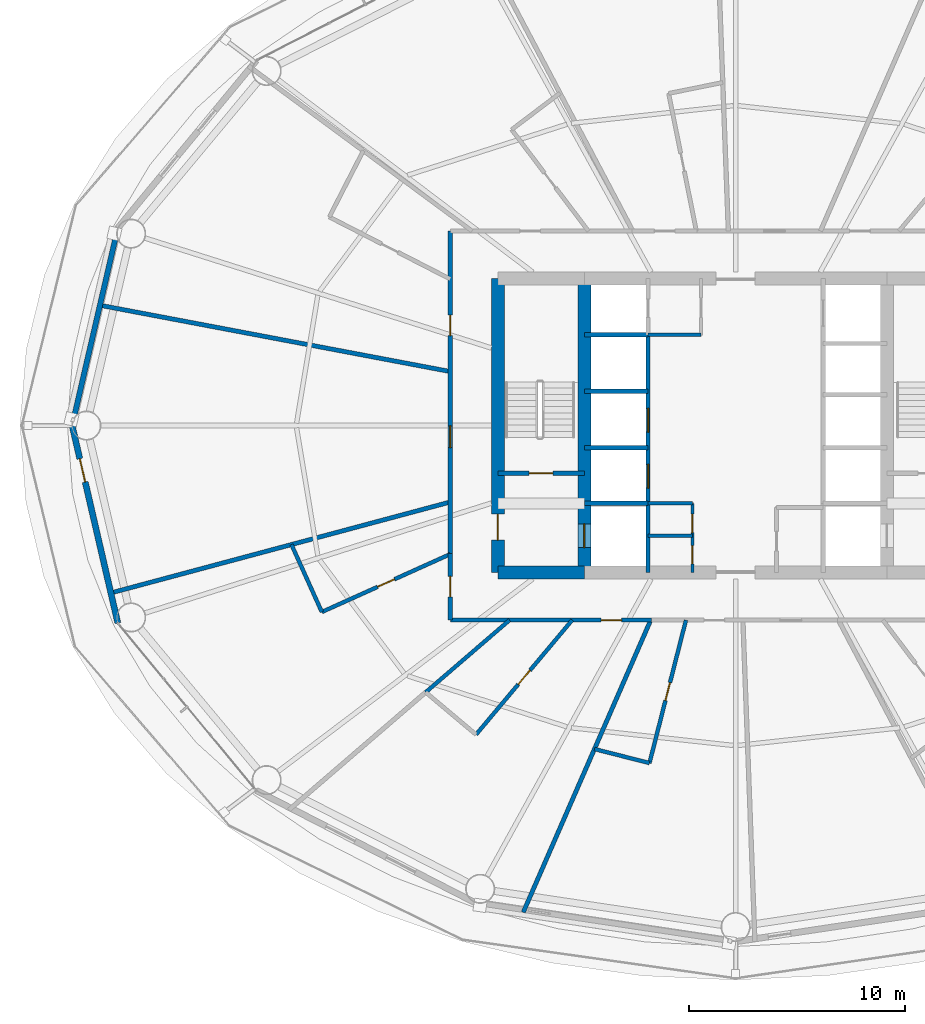
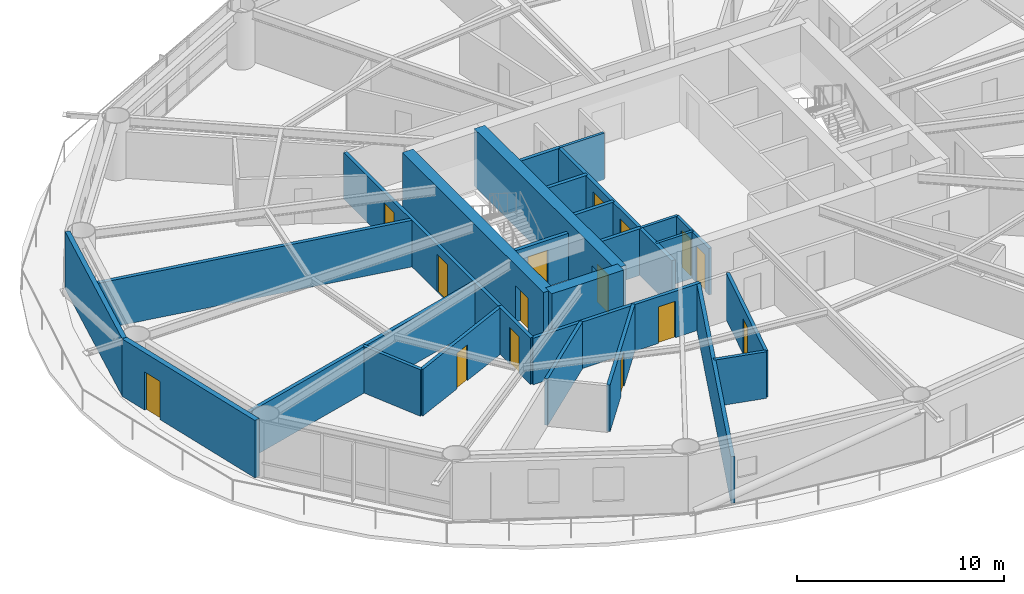
# One storey, part 20 of 26: 28 walls, 15 doors, 15 openings.
"""IFC4 building model written with IfcOpenShell, lengths in metres."""

import ifcopenshell
import ifcopenshell.guid

model = None  # the IFC model being written
_history = None  # IfcOwnerHistory: only IFC2X3 demands one
_inside = {}  # id of a spatial element -> (the spatial element, [elements in it])
_under = {}  # id of a project, library or spatial element -> (it, [spatial elements below it])
_declared = {}  # id of a project -> (the project, [libraries it declares])
_typed = {}  # id of a type object -> (the type object, [elements of that type])
_made_of = {}  # id of a material, layer set ... -> (it, [elements and type objects made of it])


def new_model(schema):
    """Start an empty IFC model of exactly this schema.

    Asked for "IFC4X3", IfcOpenShell would pick the latest addendum, in which some entities
    have other attributes; the version numbers below select the first issue.
    IFC2X3 requires an IfcOwnerHistory on every rooted entity: one is made here for all.
    """
    global model, _history
    if schema == "IFC4X3":
        model = ifcopenshell.file(schema_version=(4, 3, 0, 0))
    else:
        model = ifcopenshell.file(schema=schema)
    _inside.clear()
    _under.clear()
    _declared.clear()
    _typed.clear()
    _made_of.clear()
    _history = None
    if model.schema == "IFC2X3":
        org = make("IfcOrganization", Name="unknown")
        user = make(
            "IfcPersonAndOrganization",
            ThePerson=make("IfcPerson", FamilyName="unknown"),
            TheOrganization=org,
        )
        app = make(
            "IfcApplication",
            ApplicationDeveloper=org,
            Version="unknown",
            ApplicationFullName="unknown",
            ApplicationIdentifier="unknown",
        )
        _history = make(
            "IfcOwnerHistory",
            OwningUser=user,
            OwningApplication=app,
            ChangeAction="ADDED",
            CreationDate=0,
        )
    return model


def make(cls, **values):
    """One entity of the class cls with the attributes given. An attribute that is None is left unset."""
    return model.create_entity(
        cls, **{name: value for name, value in values.items() if value is not None}
    )


def rooted(cls, **values):
    """An entity with a GlobalId (a new one), such as an element, a storey or a relation."""
    return make(cls, GlobalId=ifcopenshell.guid.new(), OwnerHistory=_history, **values)


def si_unit(unit_type, name, prefix=None):
    """IfcSIUnit, for example si_unit("LENGTHUNIT", "METRE", prefix="MILLI")."""
    return make("IfcSIUnit", UnitType=unit_type, Prefix=prefix, Name=name)


def assignment(units):
    """IfcUnitAssignment: the units of a project."""
    return None if units is None else make("IfcUnitAssignment", Units=units)


def point(xyz):
    """IfcCartesianPoint."""
    return None if xyz is None else make("IfcCartesianPoint", Coordinates=xyz)


def direction(xyz):
    """IfcDirection."""
    return None if xyz is None else make("IfcDirection", DirectionRatios=xyz)


def frame(location, z_axis=None, x_axis=None):
    """IfcAxis2Placement3D, a coordinate frame: its origin and axes. An axis left out is left unset."""
    return make(
        "IfcAxis2Placement3D",
        Location=point(location),
        Axis=direction(z_axis),
        RefDirection=direction(x_axis),
    )


def frame_2d(location, x_axis=None):
    """IfcAxis2Placement2D, a coordinate frame in the plane: its origin and x axis."""
    return make(
        "IfcAxis2Placement2D", Location=point(location), RefDirection=direction(x_axis)
    )


def origin():
    """The frame at (0, 0, 0) with its axes left unset."""
    return frame((0.0, 0.0, 0.0))


def place(relative_to, where):
    """IfcLocalPlacement: puts the frame where relative to a parent placement (None: the world)."""
    return make(
        "IfcLocalPlacement", PlacementRelTo=relative_to, RelativePlacement=where
    )


def context(
    kind, dimensions, precision=None, world=None, true_north=None, identifier=None
):
    """IfcGeometricRepresentationContext, for example the 3D "Model" context."""
    return make(
        "IfcGeometricRepresentationContext",
        ContextIdentifier=identifier,
        ContextType=kind,
        CoordinateSpaceDimension=dimensions,
        Precision=precision,
        WorldCoordinateSystem=world,
        TrueNorth=true_north,
    )


def subcontext(parent, identifier, kind, view, scale=None):
    """IfcGeometricRepresentationSubContext, for example "Body" below "Model"."""
    return make(
        "IfcGeometricRepresentationSubContext",
        ContextIdentifier=identifier,
        ContextType=kind,
        ParentContext=parent,
        TargetScale=scale,
        TargetView=view,
    )


def project(units=None, contexts=None):
    """IfcProject with its units and contexts."""
    return rooted(
        "IfcProject",
        Name="project",
        RepresentationContexts=contexts,
        UnitsInContext=assignment(units),
    )


def spatial(cls, under=None, at=None, **own):
    """A site, building, storey or space (cls), placed at a placement, below another one or the project."""
    s = rooted(cls, ObjectPlacement=at, **own)
    if under is not None:
        _under.setdefault(under.id(), (under, []))[1].append(s)
    return s


def profile(cls, at=None, kind="AREA", **sizes):
    """A parametric profile (cls). Its sizes go by their IFC names, for example OverallWidth=200.0."""
    return make(cls, ProfileType=kind, Position=at, **sizes)


def rectangle(**sizes):
    """IfcRectangleProfileDef."""
    return profile("IfcRectangleProfileDef", **sizes)


def extrude(swept, where, along, depth):
    """IfcExtrudedAreaSolid: the profile swept, set in the frame where, extruded along a direction by depth."""
    return make(
        "IfcExtrudedAreaSolid",
        SweptArea=swept,
        Position=where,
        ExtrudedDirection=direction(along),
        Depth=depth,
    )


def shape(context_of_items, identifier, shape_type, items):
    """IfcShapeRepresentation: the items that make up one representation, for example the "Body"."""
    return make(
        "IfcShapeRepresentation",
        ContextOfItems=context_of_items,
        RepresentationIdentifier=identifier,
        RepresentationType=shape_type,
        Items=items,
    )


def material(Name=None, Category=None):
    """IfcMaterial."""
    return make("IfcMaterial", Name=Name, Category=Category)


def layer(
    of_material, thickness, ventilated=None, Name=None, Category=None, Priority=None
):
    """IfcMaterialLayer: one layer of a wall or slab, of a material (None: an air gap)."""
    return make(
        "IfcMaterialLayer",
        Material=of_material,
        LayerThickness=thickness,
        IsVentilated=ventilated,
        Name=Name,
        Category=Category,
        Priority=Priority,
    )


def layer_set(layers, Name=None):
    """IfcMaterialLayerSet."""
    return make("IfcMaterialLayerSet", MaterialLayers=layers, LayerSetName=Name)


def made_of(thing, what):
    """Note that an element or type object is made of a material, layer set ...; save() writes the relation."""
    if what is not None:
        _made_of.setdefault(what.id(), (what, []))[1].append(thing)
    return thing


def type_object(cls, material=None, **own):
    """A type object (cls), such as IfcWallType, which elements share."""
    return made_of(rooted(cls, **own), material)


def element(
    cls,
    number,
    at=None,
    inside=None,
    cuts=None,
    type_object=None,
    material=None,
    context=None,
    identifier="Body",
    shape_type=None,
    held_by="IfcProductDefinitionShape",
    body=None,
    shapes=None,
    **own,
):
    """One element of the class cls, such as IfcWall. Its Tag is "e" and its number.

    at: its placement. inside: the storey or other place that contains it. cuts: it is an
    opening in that element (IfcRelVoidsElement). A single representation is given by context,
    identifier, shape_type and body (its items); several are given by shapes. held_by: the class
    of the entity that holds the representations. save() writes the other relations.
    """
    e = rooted(cls, Tag="e%d" % number, ObjectPlacement=at, **own)
    if body is not None:
        shapes = [shape(context, identifier, shape_type, body)]
    if shapes is not None:
        e.Representation = make(held_by, Representations=shapes)
    if inside is not None:
        _inside.setdefault(inside.id(), (inside, []))[1].append(e)
    if cuts is not None:
        rooted(
            "IfcRelVoidsElement", RelatingBuildingElement=cuts, RelatedOpeningElement=e
        )
    if type_object is not None:
        _typed.setdefault(type_object.id(), (type_object, []))[1].append(e)
    return made_of(e, material)


def fill(opening, filler):
    """IfcRelFillsElement: the door or window that sits in an opening."""
    return rooted(
        "IfcRelFillsElement",
        RelatingOpeningElement=opening,
        RelatedBuildingElement=filler,
    )


def aggregate(whole, parts):
    """IfcRelAggregates: a whole, such as a stair, and the parts it consists of."""
    return rooted("IfcRelAggregates", RelatingObject=whole, RelatedObjects=parts)


def save(model, path):
    """Write the relations noted so far, then the file.

    IfcRelAggregates (storeys below a building ...), IfcRelContainedInSpatialStructure (elements
    in a storey), IfcRelDefinesByType, IfcRelAssociatesMaterial and IfcRelDeclares: one each for
    every whole, place, type object, material and project.
    """
    for whole, parts in _under.values():
        aggregate(whole, parts)
    for where, things in _inside.values():
        rooted(
            "IfcRelContainedInSpatialStructure",
            RelatedElements=things,
            RelatingStructure=where,
        )
    for kind, things in _typed.values():
        rooted("IfcRelDefinesByType", RelatedObjects=things, RelatingType=kind)
    for what, things in _made_of.values():
        rooted("IfcRelAssociatesMaterial", RelatedObjects=things, RelatingMaterial=what)
    for by, libraries in _declared.values():
        rooted("IfcRelDeclares", RelatingContext=by, RelatedDefinitions=libraries)
    model.write(path)


model = new_model("IFC4")

# Units and contexts
model_context = context("Model", 3, precision=1e-05, world=origin(), true_north=direction((0.0, 1.0)))
body_context = subcontext(model_context, "Body", "Model", "MODEL_VIEW")
ifc_project = project(units=[si_unit("LENGTHUNIT", "METRE"), si_unit("AREAUNIT", "SQUARE_METRE"), si_unit("VOLUMEUNIT", "CUBIC_METRE"), si_unit("PLANEANGLEUNIT", "RADIAN"), si_unit("MASSUNIT", "GRAM", prefix="KILO")], contexts=[model_context])

# Site, building, storey
site_placement = place(None, origin())
site = spatial("IfcSite", under=ifc_project, at=site_placement, CompositionType="ELEMENT")
building_placement = place(site_placement, origin())
building = spatial("IfcBuilding", under=site, at=building_placement, Name="Sarneth Arch Tower", CompositionType="ELEMENT")
storey_placement = place(building_placement, frame((0.0, 0.0, 39.0)))
storey = spatial("IfcBuildingStorey", under=building, at=storey_placement, Name="L08", CompositionType="ELEMENT", Elevation=39.0)

# Wall
ifc_material_1 = material(Name="Concrete C60/75", Category="concrete")
ifc_layer_1 = layer(ifc_material_1, 0.60009765625)
ifc_layer_set_1 = layer_set([ifc_layer_1], Name="Concrete C60/75")
wall_type_1 = type_object("IfcWallType", Name="WALL-CORE-600", PredefinedType="SHEAR", material=ifc_layer_set_1)
wall_1_placement = place(storey_placement, frame((37.0, 35.199951171875, 0.0), z_axis=(0.0, 0.0, 1.0), x_axis=(1.0, 0.0, 0.0)))
element("IfcWall", 1, at=wall_1_placement, inside=storey, type_object=wall_type_1, Name="L08 Core shear wall S-W", PredefinedType="SHEAR", context=body_context, shape_type="SweptSolid", body=[
    extrude(rectangle(XDim=4.0, YDim=0.60009765625, at=frame_2d((2.0, 0.0))), origin(), (0.0, 0.0, 1.0), 3.3798828125),
])

# Wall, opening, door
wall_2_placement = place(storey_placement, frame((37.0, 35.199951171875, 0.0), z_axis=(0.0, 0.0, 1.0), x_axis=(0.0, 1.0, 0.0)))
wall_2 = element("IfcWall", 2, at=wall_2_placement, inside=storey, type_object=wall_type_1, Name="L08 Core shear wall W", PredefinedType="SHEAR", context=body_context, shape_type="SweptSolid", body=[
    extrude(rectangle(XDim=13.60009765625, YDim=0.60009765625, at=frame_2d((6.800048828125, 0.0))), origin(), (0.0, 0.0, 1.0), 3.3798828125),
])
opening_1_placement = place(wall_2_placement, frame((1.5, 0.0, 0.0)))
opening_1 = element("IfcOpeningElement", 3, at=opening_1_placement, cuts=wall_2, Name="Opening FD-02", PredefinedType="OPENING", context=body_context, shape_type="SweptSolid", body=[
    extrude(rectangle(XDim=1.199951171875, YDim=2.14990234375, at=frame_2d((0.60009765625, 1.074951171875))), frame((0.0, 0.31005859375, 0.0), z_axis=(0.0, -1.0, 0.0), x_axis=(1.0, 0.0, 0.0)), (0.0, 0.0, 1.0), 0.6201171875),
])
ifc_material_2 = material(Name="Galvanised Steel S275 fire door set", Category="steel")
door_type_1 = type_object("IfcDoorType", Name="DR-FD90-1200", OperationType="SINGLE_SWING_LEFT", PredefinedType="DOOR", material=ifc_material_2)
door_1_placement = place(opening_1_placement, origin())
door_1 = element("IfcDoor", 4, at=door_1_placement, inside=storey, type_object=door_type_1, Name="L08 Firefighting lobby 1 exit door", OperationType="SINGLE_SWING_LEFT", OverallHeight=2.14990234375, OverallWidth=1.199951171875, PredefinedType="DOOR", context=body_context, shape_type="SweptSolid", body=[
    extrude(rectangle(XDim=1.199951171875, YDim=2.14990234375, at=frame_2d((0.60009765625, 1.074951171875))), frame((0.0, 0.02490234375, 0.0), z_axis=(0.0, -1.0, 0.0), x_axis=(1.0, 0.0, 0.0)), (0.0, 0.0, 1.0), 0.050048828125),
])
fill(opening_1, door_1)

wall_3_placement = place(storey_placement, frame((41.0, 35.199951171875, 0.0), z_axis=(0.0, 0.0, 1.0), x_axis=(0.0, 1.0, 0.0)))
wall_3 = element("IfcWall", 5, at=wall_3_placement, inside=storey, type_object=wall_type_1, Name="L08 Core shear wall WEB-W", PredefinedType="SHEAR", context=body_context, shape_type="SweptSolid", body=[
    extrude(rectangle(XDim=13.60009765625, YDim=0.60009765625, at=frame_2d((6.800048828125, 0.0))), origin(), (0.0, 0.0, 1.0), 3.3798828125),
])
opening_2_placement = place(wall_3_placement, frame((1.14990234375, 0.0, 0.0)))
opening_2 = element("IfcOpeningElement", 6, at=opening_2_placement, cuts=wall_3, Name="Opening LD-1", PredefinedType="OPENING", context=body_context, shape_type="SweptSolid", body=[
    extrude(rectangle(XDim=1.10009765625, YDim=2.199951171875, at=frame_2d((0.550048828125, 1.10009765625))), frame((0.0, 0.31005859375, 0.0), z_axis=(0.0, -1.0, 0.0), x_axis=(1.0, 0.0, 0.0)), (0.0, 0.0, 1.0), 0.6201171875),
])
ifc_material_3 = material(Name="Brushed Stainless Steel 304 lift landing door", Category="steel")
door_type_2 = type_object("IfcDoorType", Name="DR-LIFT-SLIDE-1100", OperationType="SLIDING_TO_LEFT", PredefinedType="DOOR", material=ifc_material_3)
door_2_placement = place(opening_2_placement, origin())
door_2 = element("IfcDoor", 7, at=door_2_placement, inside=storey, type_object=door_type_2, Name="L08 Firefighting lift landing door FL-1", OperationType="SLIDING_TO_LEFT", OverallHeight=2.199951171875, OverallWidth=1.10009765625, PredefinedType="DOOR", context=body_context, shape_type="SweptSolid", body=[
    extrude(rectangle(XDim=1.10009765625, YDim=2.199951171875, at=frame_2d((0.550048828125, 1.10009765625))), frame((0.0, 0.02490234375, 0.0), z_axis=(0.0, -1.0, 0.0), x_axis=(1.0, 0.0, 0.0)), (0.0, 0.0, 1.0), 0.050048828125),
])
fill(opening_2, door_2)

# Wall, openings, doors
ifc_material_4 = material(Name="Double steel-stud corridor fire wall", Category="steel")
ifc_layer_2 = layer(ifc_material_4, 0.18994140625)
ifc_layer_set_2 = layer_set([ifc_layer_2], Name="Double steel-stud corridor fire wall")
wall_type_2 = type_object("IfcWallType", Name="WALL-CORR-190", PredefinedType="PARTITIONING", material=ifc_layer_set_2)
wall_4_placement = place(storey_placement, frame((34.800048828125, 36.016845703125, 0.0), z_axis=(0.0, 0.0, 1.0), x_axis=(0.0, 1.0, 0.0)))
wall_4 = element("IfcWall", 8, at=wall_4_placement, inside=storey, type_object=wall_type_2, Name="L08 Interior partition W-L08-TP-014", PredefinedType="PARTITIONING", context=body_context, shape_type="SweptSolid", body=[
    extrude(rectangle(XDim=14.983154296875, YDim=0.18994140625, at=frame_2d((7.49169921875, 0.0))), origin(), (0.0, 0.0, 1.0), 2.739990234375),
])
opening_3_placement = place(wall_4_placement, frame((4.96337890625, 0.0, 0.0)))
opening_3 = element("IfcOpeningElement", 9, at=opening_3_placement, cuts=wall_4, Name="Opening FD-08", PredefinedType="OPENING", context=body_context, shape_type="SweptSolid", body=[
    extrude(rectangle(XDim=1.0, YDim=2.199951171875, at=frame_2d((0.5, 1.10009765625))), frame((0.0, 0.10498046875, 0.0), z_axis=(0.0, -1.0, 0.0), x_axis=(1.0, 0.0, 0.0)), (0.0, 0.0, 1.0), 0.2099609375),
])
opening_4_placement = place(wall_4_placement, frame((10.146484375, 0.0, 0.0)))
opening_4 = element("IfcOpeningElement", 10, at=opening_4_placement, cuts=wall_4, Name="Opening FD-09", PredefinedType="OPENING", context=body_context, shape_type="SweptSolid", body=[
    extrude(rectangle(XDim=0.949951171875, YDim=2.14990234375, at=frame_2d((0.47509765625, 1.074951171875))), frame((0.0, 0.10498046875, 0.0), z_axis=(0.0, -1.0, 0.0), x_axis=(1.0, 0.0, 0.0)), (0.0, 0.0, 1.0), 0.2099609375),
])
ifc_material_5 = material(Name="Hardwood timber acoustic fire door", Category="wood")
door_type_3 = type_object("IfcDoorType", Name="DR-FD60-1000", OperationType="SINGLE_SWING_LEFT", PredefinedType="DOOR", material=ifc_material_5)
door_3_placement = place(opening_3_placement, origin())
door_3 = element("IfcDoor", 11, at=door_3_placement, inside=storey, type_object=door_type_3, Name="L08 Interior door DR-L08-AMN-07", OperationType="SINGLE_SWING_RIGHT", OverallHeight=2.199951171875, OverallWidth=1.0, PredefinedType="DOOR", context=body_context, shape_type="SweptSolid", body=[
    extrude(rectangle(XDim=1.0, YDim=2.199951171875, at=frame_2d((0.5, 1.10009765625))), frame((0.0, 0.02490234375, 0.0), z_axis=(0.0, -1.0, 0.0), x_axis=(1.0, 0.0, 0.0)), (0.0, 0.0, 1.0), 0.050048828125),
])
fill(opening_3, door_3)
ifc_material_6 = material(Name="Hardwood timber hotel entrance fire door", Category="wood")
door_type_4 = type_object("IfcDoorType", Name="DR-FD60-950", OperationType="SINGLE_SWING_RIGHT", PredefinedType="DOOR", material=ifc_material_6)
door_4_placement = place(opening_4_placement, origin())
door_4 = element("IfcDoor", 12, at=door_4_placement, inside=storey, type_object=door_type_4, Name="L08 Interior door DR-L08-KEY-06", OperationType="SINGLE_SWING_LEFT", OverallHeight=2.14990234375, OverallWidth=0.949951171875, PredefinedType="DOOR", context=body_context, shape_type="SweptSolid", body=[
    extrude(rectangle(XDim=0.949951171875, YDim=2.14990234375, at=frame_2d((0.47509765625, 1.074951171875))), frame((0.0, 0.02490234375, 0.0), z_axis=(0.0, -1.0, 0.0), x_axis=(1.0, 0.0, 0.0)), (0.0, 0.0, 1.0), 0.050048828125),
])
fill(opening_4, door_4)

# Wall, opening, door
wall_5_placement = place(storey_placement, frame((44.108154296875, 33.0, 0.0), z_axis=(0.0, 0.0, 1.0), x_axis=(-1.0, 0.0, 0.0)))
wall_5 = element("IfcWall", 13, at=wall_5_placement, inside=storey, type_object=wall_type_2, Name="L08 Interior partition W-L08-TP-018", PredefinedType="PARTITIONING", context=body_context, shape_type="SweptSolid", body=[
    extrude(rectangle(XDim=9.30810546875, YDim=0.18994140625, at=frame_2d((4.654052734375, 0.0))), origin(), (0.0, 0.0, 1.0), 2.739990234375),
])
opening_5_placement = place(wall_5_placement, frame((1.379638671875, 0.0, 0.0)))
opening_5 = element("IfcOpeningElement", 14, at=opening_5_placement, cuts=wall_5, Name="Opening FD-09", PredefinedType="OPENING", context=body_context, shape_type="SweptSolid", body=[
    extrude(rectangle(XDim=0.949951171875, YDim=2.14990234375, at=frame_2d((0.47509765625, 1.074951171875))), frame((0.0, 0.10498046875, 0.0), z_axis=(0.0, -1.0, 0.0), x_axis=(1.0, 0.0, 0.0)), (0.0, 0.0, 1.0), 0.2099609375),
])
door_5_placement = place(opening_5_placement, origin())
door_5 = element("IfcDoor", 15, at=door_5_placement, inside=storey, type_object=door_type_4, Name="L08 Interior door DR-L08-KEY-09", OperationType="SINGLE_SWING_RIGHT", OverallHeight=2.14990234375, OverallWidth=0.949951171875, PredefinedType="DOOR", context=body_context, shape_type="SweptSolid", body=[
    extrude(rectangle(XDim=0.949951171875, YDim=2.14990234375, at=frame_2d((0.47509765625, 1.074951171875))), frame((0.0, 0.02490234375, 0.0), z_axis=(0.0, -1.0, 0.0), x_axis=(1.0, 0.0, 0.0)), (0.0, 0.0, 1.0), 0.050048828125),
])
fill(opening_5, door_5)

wall_6_placement = place(storey_placement, frame((34.800048828125, 33.0, 0.0), z_axis=(0.0, 0.0, 1.0), x_axis=(0.0, 1.0, 0.0)))
wall_6 = element("IfcWall", 16, at=wall_6_placement, inside=storey, type_object=wall_type_2, Name="L08 Interior partition W-L08-TP-016", PredefinedType="PARTITIONING", context=body_context, shape_type="SweptSolid", body=[
    extrude(rectangle(XDim=3.0869140625, YDim=0.18994140625, at=frame_2d((1.54345703125, 0.0))), origin(), (0.0, 0.0, 1.0), 2.739990234375),
])
opening_6_placement = place(wall_6_placement, frame((1.068603515625, 0.0, 0.0)))
opening_6 = element("IfcOpeningElement", 17, at=opening_6_placement, cuts=wall_6, Name="Opening FD-09", PredefinedType="OPENING", context=body_context, shape_type="SweptSolid", body=[
    extrude(rectangle(XDim=0.949951171875, YDim=2.14990234375, at=frame_2d((0.47509765625, 1.074951171875))), frame((0.0, 0.10498046875, 0.0), z_axis=(0.0, -1.0, 0.0), x_axis=(1.0, 0.0, 0.0)), (0.0, 0.0, 1.0), 0.2099609375),
])
door_6_placement = place(opening_6_placement, origin())
door_6 = element("IfcDoor", 18, at=door_6_placement, inside=storey, type_object=door_type_4, Name="L08 Interior door DR-L08-KEY-08", OperationType="SINGLE_SWING_LEFT", OverallHeight=2.14990234375, OverallWidth=0.949951171875, PredefinedType="DOOR", context=body_context, shape_type="SweptSolid", body=[
    extrude(rectangle(XDim=0.949951171875, YDim=2.14990234375, at=frame_2d((0.47509765625, 1.074951171875))), frame((0.0, 0.02490234375, 0.0), z_axis=(0.0, -1.0, 0.0), x_axis=(1.0, 0.0, 0.0)), (0.0, 0.0, 1.0), 0.050048828125),
])
fill(opening_6, door_6)

# Wall
ifc_material_7 = material(Name="Extruded terracotta rainscreen on Concrete C40/50 backing", Category="masonry")
ifc_layer_3 = layer(ifc_material_7, 0.25)
ifc_layer_set_3 = layer_set([ifc_layer_3], Name="Extruded terracotta rainscreen on Concrete C40/50 backing")
wall_type_3 = type_object("IfcWallType", Name="WALL-EXT-SPAND-250", PredefinedType="SOLIDWALL", material=ifc_layer_set_3)
wall_7_placement = place(storey_placement, frame((19.4189453125, 51.138427734375, 0.0), z_axis=(0.0, 0.0, 1.0), x_axis=(-0.225454452941, -0.974253709076, 0.0)))
element("IfcWall", 19, at=wall_7_placement, inside=storey, type_object=wall_type_3, Name="L08 Terracotta perimeter wall 08", PredefinedType="SOLIDWALL", context=body_context, shape_type="SweptSolid", body=[
    extrude(rectangle(XDim=9.3798828125, YDim=0.25, at=frame_2d((4.68994140625, 0.0))), origin(), (0.0, 0.0, 1.0), 3.3798828125),
])

# Wall, opening, door
ifc_material_8 = material(Name="Extruded terracotta rainscreen on Concrete C40/50 backing", Category="masonry")
ifc_layer_4 = layer(ifc_material_8, 0.280029296875)
ifc_layer_set_4 = layer_set([ifc_layer_4], Name="Extruded terracotta rainscreen on Concrete C40/50 backing")
wall_type_4 = type_object("IfcWallType", Name="WALL-EXT-TERRA-280", PredefinedType="SOLIDWALL", material=ifc_layer_set_4)
wall_8_placement = place(storey_placement, frame((17.30419921875, 42.0, 0.0), z_axis=(0.0, 0.0, 1.0), x_axis=(0.225454452941, -0.974253709076, 0.0)))
wall_8 = element("IfcWall", 20, at=wall_8_placement, inside=storey, type_object=wall_type_4, Name="L08 Terracotta perimeter wall 09", PredefinedType="SOLIDWALL", context=body_context, shape_type="SweptSolid", body=[
    extrude(rectangle(XDim=9.3798828125, YDim=0.280029296875, at=frame_2d((4.68994140625, 0.0))), origin(), (0.0, 0.0, 1.0), 3.3798828125),
])
opening_7_placement = place(wall_8_placement, frame((1.5791015625, 0.0, 0.0)))
opening_7 = element("IfcOpeningElement", 21, at=opening_7_placement, cuts=wall_8, Name="Opening BD-3", PredefinedType="OPENING", context=body_context, shape_type="SweptSolid", body=[
    extrude(rectangle(XDim=1.10009765625, YDim=2.25, at=frame_2d((0.550048828125, 1.125))), frame((0.0, 0.14990234375, 0.0), z_axis=(0.0, -1.0, 0.0), x_axis=(1.0, 0.0, 0.0)), (0.0, 0.0, 1.0), 0.300048828125),
])
ifc_material_9 = material(Name="Thermally broken Aluminium 6063-T6 and laminated safety glass", Category="aluminium")
door_type_5 = type_object("IfcDoorType", Name="DR-BALC-GLZ-1100", OperationType="SINGLE_SWING_LEFT", PredefinedType="DOOR", material=ifc_material_9)
door_7_placement = place(opening_7_placement, origin())
door_7 = element("IfcDoor", 22, at=door_7_placement, inside=storey, type_object=door_type_5, Name="L08 Balcony glazed door 09", OperationType="SINGLE_SWING_LEFT", OverallHeight=2.25, OverallWidth=1.10009765625, PredefinedType="DOOR", context=body_context, shape_type="SweptSolid", body=[
    extrude(rectangle(XDim=1.10009765625, YDim=2.25, at=frame_2d((0.550048828125, 1.125))), frame((0.0, 0.02490234375, 0.0), z_axis=(0.0, -1.0, 0.0), x_axis=(1.0, 0.0, 0.0)), (0.0, 0.0, 1.0), 0.050048828125),
])
fill(opening_7, door_7)

# Walls
ifc_material_10 = material(Name="Acoustic gypsum stud partition", Category="gypsum")
ifc_layer_5 = layer(ifc_material_10, 0.14990234375)
ifc_layer_set_5 = layer_set([ifc_layer_5], Name="Acoustic gypsum stud partition")
wall_type_5 = type_object("IfcWallType", Name="WALL-PART-150", PredefinedType="PARTITIONING", material=ifc_layer_set_5)
for number, where, z_axis, x_axis, name in (
    (23, (43.949951171875, 36.89990234375, 0.0), (0.0, 0.0, 1.0), (1.0, 0.0, 0.0), "L08 Interior partition W-L08-CSUP-M"),
    (24, (43.949951171875, 38.39990234375, 0.0), (0.0, 0.0, 1.0), (1.0, 0.0, 0.0), "L08 Interior partition W-L08-CSUP-N"),
):
    element("IfcWall", number, at=place(storey_placement, frame(where, z_axis=z_axis, x_axis=x_axis)), inside=storey, type_object=wall_type_5, Name=name, PredefinedType="PARTITIONING", context=body_context, shape_type="SweptSolid", body=[
        extrude(rectangle(XDim=2.050048828125, YDim=0.14990234375, at=frame_2d((1.02490234375, 0.0))), origin(), (0.0, 0.0, 1.0), 2.739990234375),
    ])

# Wall, openings, doors
wall_9_placement = place(storey_placement, frame((46.0, 35.199951171875, 0.0), z_axis=(0.0, 0.0, 1.0), x_axis=(0.0, 1.0, 0.0)))
wall_9 = element("IfcWall", 25, at=wall_9_placement, inside=storey, type_object=wall_type_5, Name="L08 Interior partition W-L08-CSUP-E", PredefinedType="PARTITIONING", context=body_context, shape_type="SweptSolid", body=[
    extrude(rectangle(XDim=3.199951171875, YDim=0.14990234375, at=frame_2d((1.60009765625, 0.0))), origin(), (0.0, 0.0, 1.0), 2.739990234375),
])
opening_8_placement = place(wall_9_placement, frame((0.39990234375, 0.0, 0.0)))
opening_8 = element("IfcOpeningElement", 26, at=opening_8_placement, cuts=wall_9, Name="Opening FD-11", PredefinedType="OPENING", context=body_context, shape_type="SweptSolid", body=[
    extrude(rectangle(XDim=0.85009765625, YDim=2.14990234375, at=frame_2d((0.425048828125, 1.074951171875))), frame((0.0, 0.0849609375, 0.0), z_axis=(0.0, -1.0, 0.0), x_axis=(1.0, 0.0, 0.0)), (0.0, 0.0, 1.0), 0.169921875),
])
opening_9_placement = place(wall_9_placement, frame((1.85009765625, 0.0, 0.0)))
opening_9 = element("IfcOpeningElement", 27, at=opening_9_placement, cuts=wall_9, Name="Opening FD-11", PredefinedType="OPENING", context=body_context, shape_type="SweptSolid", body=[
    extrude(rectangle(XDim=0.85009765625, YDim=2.14990234375, at=frame_2d((0.425048828125, 1.074951171875))), frame((0.0, 0.0849609375, 0.0), z_axis=(0.0, -1.0, 0.0), x_axis=(1.0, 0.0, 0.0)), (0.0, 0.0, 1.0), 0.169921875),
])
ifc_material_11 = material(Name="Galvanised Steel S275 closet fire door", Category="steel")
door_type_6 = type_object("IfcDoorType", Name="DR-FD60-850", OperationType="SINGLE_SWING_LEFT", PredefinedType="DOOR", material=ifc_material_11)
door_8_placement = place(opening_8_placement, origin())
door_8 = element("IfcDoor", 28, at=door_8_placement, inside=storey, type_object=door_type_6, Name="L08 Interior door DR-L08-CSUP1", OperationType="SINGLE_SWING_LEFT", OverallHeight=2.14990234375, OverallWidth=0.85009765625, PredefinedType="DOOR", context=body_context, shape_type="SweptSolid", body=[
    extrude(rectangle(XDim=0.85009765625, YDim=2.14990234375, at=frame_2d((0.425048828125, 1.074951171875))), frame((0.0, 0.02490234375, 0.0), z_axis=(0.0, -1.0, 0.0), x_axis=(1.0, 0.0, 0.0)), (0.0, 0.0, 1.0), 0.050048828125),
])
fill(opening_8, door_8)
door_9_placement = place(opening_9_placement, origin())
door_9 = element("IfcDoor", 29, at=door_9_placement, inside=storey, type_object=door_type_6, Name="L08 Interior door DR-L08-CSUP2", OperationType="SINGLE_SWING_RIGHT", OverallHeight=2.14990234375, OverallWidth=0.85009765625, PredefinedType="DOOR", context=body_context, shape_type="SweptSolid", body=[
    extrude(rectangle(XDim=0.85009765625, YDim=2.14990234375, at=frame_2d((0.425048828125, 1.074951171875))), frame((0.0, 0.02490234375, 0.0), z_axis=(0.0, -1.0, 0.0), x_axis=(1.0, 0.0, 0.0)), (0.0, 0.0, 1.0), 0.050048828125),
])
fill(opening_9, door_9)

# Wall
wall_10_placement = place(storey_placement, frame((43.949951171875, 46.199951171875, 0.0), z_axis=(0.0, 0.0, 1.0), x_axis=(1.0, 0.0, 0.0)))
element("IfcWall", 30, at=wall_10_placement, inside=storey, type_object=wall_type_5, Name="L08 Interior partition W-L08-CSUP3-S", PredefinedType="PARTITIONING", context=body_context, shape_type="SweptSolid", body=[
    extrude(rectangle(XDim=2.449951171875, YDim=0.14990234375, at=frame_2d((1.22509765625, 0.0))), origin(), (0.0, 0.0, 1.0), 2.739990234375),
])

# Wall, opening, door
ifc_material_12 = material(Name="Moisture-resistant plumbing chase wall", Category="gypsum")
ifc_layer_6 = layer(ifc_material_12, 0.179931640625)
ifc_layer_set_6 = layer_set([ifc_layer_6], Name="Moisture-resistant plumbing chase wall")
wall_type_6 = type_object("IfcWallType", Name="WALL-PLUMB-180", PredefinedType="PLUMBINGWALL", material=ifc_layer_set_6)
wall_11_placement = place(storey_placement, frame((40.4404296875, 33.0, 0.0), z_axis=(0.0, 0.0, 1.0), x_axis=(-0.643154836645, -0.765736153058, 0.0)))
wall_11 = element("IfcWall", 31, at=wall_11_placement, inside=storey, type_object=wall_type_6, Name="L08 Interior partition W-L08-TP-058", PredefinedType="PLUMBINGWALL", context=body_context, shape_type="SweptSolid", body=[
    extrude(rectangle(XDim=6.9169921875, YDim=0.179931640625, at=frame_2d((3.45849609375, 0.0))), origin(), (0.0, 0.0, 1.0), 2.739990234375),
])
opening_10_placement = place(wall_11_placement, frame((3.03369140625, 0.0, 0.0)))
opening_10 = element("IfcOpeningElement", 32, at=opening_10_placement, cuts=wall_11, Name="Opening ID-02", PredefinedType="OPENING", context=body_context, shape_type="SweptSolid", body=[
    extrude(rectangle(XDim=0.85009765625, YDim=2.10009765625, at=frame_2d((0.425048828125, 1.050048828125))), frame((0.0, 0.099853515625, 0.0), z_axis=(0.0, -1.0, 0.0), x_axis=(1.0, 0.0, 0.0)), (0.0, 0.0, 1.0), 0.199951171875),
])
ifc_material_13 = material(Name="Moisture-resistant bathroom timber door", Category="wood")
door_type_7 = type_object("IfcDoorType", Name="DR-INT-850", OperationType="SINGLE_SWING_RIGHT", PredefinedType="DOOR", material=ifc_material_13)
door_10_placement = place(opening_10_placement, origin())
door_10 = element("IfcDoor", 33, at=door_10_placement, inside=storey, type_object=door_type_7, Name="L08 Interior door DR-L08-ENS-09", OperationType="SINGLE_SWING_RIGHT", OverallHeight=2.10009765625, OverallWidth=0.85009765625, PredefinedType="DOOR", context=body_context, shape_type="SweptSolid", body=[
    extrude(rectangle(XDim=0.85009765625, YDim=2.10009765625, at=frame_2d((0.425048828125, 1.050048828125))), frame((0.0, 0.02490234375, 0.0), z_axis=(0.0, -1.0, 0.0), x_axis=(1.0, 0.0, 0.0)), (0.0, 0.0, 1.0), 0.050048828125),
])
fill(opening_10, door_10)

wall_12_placement = place(storey_placement, frame((44.015625, 26.384765625, 0.0), z_axis=(0.0, 0.0, 1.0), x_axis=(0.247244670819, 0.968953080779, 0.0)))
wall_12 = element("IfcWall", 34, at=wall_12_placement, inside=storey, type_object=wall_type_6, Name="L08 Interior partition W-L08-TP-063", PredefinedType="PLUMBINGWALL", context=body_context, shape_type="SweptSolid", body=[
    extrude(rectangle(XDim=6.8271484375, YDim=0.179931640625, at=frame_2d((3.41357421875, 0.0))), origin(), (0.0, 0.0, 1.0), 2.739990234375),
])
opening_11_placement = place(wall_12_placement, frame((2.988525390625, 0.0, 0.0)))
opening_11 = element("IfcOpeningElement", 35, at=opening_11_placement, cuts=wall_12, Name="Opening ID-02", PredefinedType="OPENING", context=body_context, shape_type="SweptSolid", body=[
    extrude(rectangle(XDim=0.85009765625, YDim=2.10009765625, at=frame_2d((0.425048828125, 1.050048828125))), frame((0.0, 0.099853515625, 0.0), z_axis=(0.0, -1.0, 0.0), x_axis=(1.0, 0.0, 0.0)), (0.0, 0.0, 1.0), 0.199951171875),
])
door_11_placement = place(opening_11_placement, origin())
door_11 = element("IfcDoor", 36, at=door_11_placement, inside=storey, type_object=door_type_7, Name="L08 Interior door DR-L08-ENS-10", OperationType="SINGLE_SWING_RIGHT", OverallHeight=2.10009765625, OverallWidth=0.85009765625, PredefinedType="DOOR", context=body_context, shape_type="SweptSolid", body=[
    extrude(rectangle(XDim=0.85009765625, YDim=2.10009765625, at=frame_2d((0.425048828125, 1.050048828125))), frame((0.0, 0.02490234375, 0.0), z_axis=(0.0, -1.0, 0.0), x_axis=(1.0, 0.0, 0.0)), (0.0, 0.0, 1.0), 0.050048828125),
])
fill(opening_11, door_11)

wall_13_placement = place(storey_placement, frame((28.85693359375, 33.373779296875, 0.0), z_axis=(0.0, 0.0, 1.0), x_axis=(0.911702033518, 0.410852044025, 0.0)))
wall_13 = element("IfcWall", 37, at=wall_13_placement, inside=storey, type_object=wall_type_6, Name="L08 Interior partition W-L08-TP-055", PredefinedType="PLUMBINGWALL", context=body_context, shape_type="SweptSolid", body=[
    extrude(rectangle(XDim=6.518798828125, YDim=0.179931640625, at=frame_2d((3.25927734375, 0.0))), origin(), (0.0, 0.0, 1.0), 2.739990234375),
])
opening_12_placement = place(wall_13_placement, frame((2.834228515625, 0.0, 0.0)))
opening_12 = element("IfcOpeningElement", 38, at=opening_12_placement, cuts=wall_13, Name="Opening ID-02", PredefinedType="OPENING", context=body_context, shape_type="SweptSolid", body=[
    extrude(rectangle(XDim=0.85009765625, YDim=2.10009765625, at=frame_2d((0.425048828125, 1.050048828125))), frame((0.0, 0.099853515625, 0.0), z_axis=(0.0, -1.0, 0.0), x_axis=(1.0, 0.0, 0.0)), (0.0, 0.0, 1.0), 0.199951171875),
])
door_12_placement = place(opening_12_placement, origin())
door_12 = element("IfcDoor", 39, at=door_12_placement, inside=storey, type_object=door_type_7, Name="L08 Interior door DR-L08-ENS-08", OperationType="SINGLE_SWING_RIGHT", OverallHeight=2.10009765625, OverallWidth=0.85009765625, PredefinedType="DOOR", context=body_context, shape_type="SweptSolid", body=[
    extrude(rectangle(XDim=0.85009765625, YDim=2.10009765625, at=frame_2d((0.425048828125, 1.050048828125))), frame((0.0, 0.02490234375, 0.0), z_axis=(0.0, -1.0, 0.0), x_axis=(1.0, 0.0, 0.0)), (0.0, 0.0, 1.0), 0.050048828125),
])
fill(opening_12, door_12)

# Walls
wall_14_placement = place(storey_placement, frame((33.661376953125, 29.66064453125, 0.0), z_axis=(0.0, 0.0, 1.0), x_axis=(0.757969199921, 0.652290343307, 0.0)))
element("IfcWall", 40, at=wall_14_placement, inside=storey, type_object=wall_type_6, Name="L08 Interior partition W-L08-TP-057", PredefinedType="PLUMBINGWALL", context=body_context, shape_type="SweptSolid", body=[
    extrude(rectangle(XDim=5.119384765625, YDim=0.179931640625, at=frame_2d((2.5595703125, 0.0))), origin(), (0.0, 0.0, 1.0), 2.739990234375),
])
wall_15_placement = place(storey_placement, frame((27.450927734375, 36.493896484375, 0.0), z_axis=(0.0, 0.0, 1.0), x_axis=(0.410839223928, -0.911707810695, 0.0)))
element("IfcWall", 41, at=wall_15_placement, inside=storey, type_object=wall_type_6, Name="L08 Interior partition W-L08-TP-054", PredefinedType="PLUMBINGWALL", context=body_context, shape_type="SweptSolid", body=[
    extrude(rectangle(XDim=3.42236328125, YDim=0.179931640625, at=frame_2d((1.711181640625, 0.0))), origin(), (0.0, 0.0, 1.0), 2.739990234375),
])
wall_16_placement = place(storey_placement, frame((41.470458984375, 27.0341796875, 0.0), z_axis=(0.0, 0.0, 1.0), x_axis=(0.968955620009, -0.24723471935, 0.0)))
element("IfcWall", 42, at=wall_16_placement, inside=storey, type_object=wall_type_6, Name="L08 Interior partition W-L08-TP-062", PredefinedType="PLUMBINGWALL", context=body_context, shape_type="SweptSolid", body=[
    extrude(rectangle(XDim=2.626708984375, YDim=0.179931640625, at=frame_2d((1.3134765625, 0.0))), origin(), (0.0, 0.0, 1.0), 2.739990234375),
])

# Wall, opening, door
ifc_material_14 = material(Name="Aerated concrete blockwork C25/30", Category="masonry")
ifc_layer_7 = layer(ifc_material_14, 0.199951171875)
ifc_layer_set_7 = layer_set([ifc_layer_7], Name="Aerated concrete blockwork C25/30")
wall_type_7 = type_object("IfcWallType", Name="WALL-SHAFT-200", PredefinedType="SOLIDWALL", material=ifc_layer_set_7)
wall_17_placement = place(storey_placement, frame((37.0, 39.800048828125, 0.0), z_axis=(0.0, 0.0, 1.0), x_axis=(1.0, 0.0, 0.0)))
wall_17 = element("IfcWall", 43, at=wall_17_placement, inside=storey, type_object=wall_type_7, Name="L08 Interior partition W-L08-ST1-S", PredefinedType="SOLIDWALL", context=body_context, shape_type="SweptSolid", body=[
    extrude(rectangle(XDim=4.0, YDim=0.199951171875, at=frame_2d((2.0, 0.0))), origin(), (0.0, 0.0, 1.0), 2.739990234375),
])
opening_13_placement = place(wall_17_placement, frame((1.449951171875, 0.0, 0.0)))
opening_13 = element("IfcOpeningElement", 44, at=opening_13_placement, cuts=wall_17, Name="Opening FD-03", PredefinedType="OPENING", context=body_context, shape_type="SweptSolid", body=[
    extrude(rectangle(XDim=1.10009765625, YDim=2.14990234375, at=frame_2d((0.550048828125, 1.074951171875))), frame((0.0, 0.10986328125, 0.0), z_axis=(0.0, -1.0, 0.0), x_axis=(1.0, 0.0, 0.0)), (0.0, 0.0, 1.0), 0.219970703125),
])
ifc_material_15 = material(Name="Galvanised Steel S275 fire door set", Category="steel")
door_type_8 = type_object("IfcDoorType", Name="DR-FD90-1100", OperationType="SINGLE_SWING_LEFT", PredefinedType="DOOR", material=ifc_material_15)
door_13_placement = place(opening_13_placement, origin())
door_13 = element("IfcDoor", 45, at=door_13_placement, inside=storey, type_object=door_type_8, Name="L08 Interior door DR-L08-ST1", OperationType="SINGLE_SWING_LEFT", OverallHeight=2.14990234375, OverallWidth=1.10009765625, PredefinedType="DOOR", context=body_context, shape_type="SweptSolid", body=[
    extrude(rectangle(XDim=1.10009765625, YDim=2.14990234375, at=frame_2d((0.550048828125, 1.074951171875))), frame((0.0, 0.02490234375, 0.0), z_axis=(0.0, -1.0, 0.0), x_axis=(1.0, 0.0, 0.0)), (0.0, 0.0, 1.0), 0.050048828125),
])
fill(opening_13, door_13)

# Walls
wall_18_placement = place(storey_placement, frame((43.949951171875, 35.199951171875, 0.0), z_axis=(0.0, 0.0, 1.0), x_axis=(0.0, 1.0, 0.0)))
element("IfcWall", 46, at=wall_18_placement, inside=storey, type_object=wall_type_7, Name="L08 Interior partition W-L08-FL1-E", PredefinedType="SOLIDWALL", context=body_context, shape_type="SweptSolid", body=[
    extrude(rectangle(XDim=3.199951171875, YDim=0.199951171875, at=frame_2d((1.60009765625, 0.0))), origin(), (0.0, 0.0, 1.0), 2.739990234375),
])
for number, where, z_axis, x_axis, name in (
    (47, (41.0, 38.39990234375, 0.0), (0.0, 0.0, 1.0), (1.0, 0.0, 0.0), "L08 Interior partition W-L08-FL1-N"),
    (48, (41.0, 46.199951171875, 0.0), (0.0, 0.0, 1.0), (1.0, 0.0, 0.0), "L08 Interior partition W-L08-RISER-S"),
):
    element("IfcWall", number, at=place(storey_placement, frame(where, z_axis=z_axis, x_axis=x_axis)), inside=storey, type_object=wall_type_7, Name=name, PredefinedType="SOLIDWALL", context=body_context, shape_type="SweptSolid", body=[
        extrude(rectangle(XDim=2.949951171875, YDim=0.199951171875, at=frame_2d((1.47509765625, 0.0))), origin(), (0.0, 0.0, 1.0), 2.739990234375),
    ])

# Wall, openings, doors
wall_19_placement = place(storey_placement, frame((43.949951171875, 38.39990234375, 0.0), z_axis=(0.0, 0.0, 1.0), x_axis=(0.0, 1.0, 0.0)))
wall_19 = element("IfcWall", 49, at=wall_19_placement, inside=storey, type_object=wall_type_7, Name="L08 Interior partition W-L08-WESTBANK-FRONT", PredefinedType="SOLIDWALL", context=body_context, shape_type="SweptSolid", body=[
    extrude(rectangle(XDim=7.800048828125, YDim=0.199951171875, at=frame_2d((3.89990234375, 0.0))), origin(), (0.0, 0.0, 1.0), 2.739990234375),
])
opening_14_placement = place(wall_19_placement, frame((0.699951171875, 0.0, 0.0)))
opening_14 = element("IfcOpeningElement", 50, at=opening_14_placement, cuts=wall_19, Name="Opening LD-1", PredefinedType="OPENING", context=body_context, shape_type="SweptSolid", body=[
    extrude(rectangle(XDim=1.10009765625, YDim=2.199951171875, at=frame_2d((0.550048828125, 1.10009765625))), frame((0.0, 0.10986328125, 0.0), z_axis=(0.0, -1.0, 0.0), x_axis=(1.0, 0.0, 0.0)), (0.0, 0.0, 1.0), 0.219970703125),
])
opening_15_placement = place(wall_19_placement, frame((3.300048828125, 0.0, 0.0)))
opening_15 = element("IfcOpeningElement", 51, at=opening_15_placement, cuts=wall_19, Name="Opening LD-1", PredefinedType="OPENING", context=body_context, shape_type="SweptSolid", body=[
    extrude(rectangle(XDim=1.10009765625, YDim=2.199951171875, at=frame_2d((0.550048828125, 1.10009765625))), frame((0.0, 0.10986328125, 0.0), z_axis=(0.0, -1.0, 0.0), x_axis=(1.0, 0.0, 0.0)), (0.0, 0.0, 1.0), 0.219970703125),
])
door_14_placement = place(opening_14_placement, origin())
door_14 = element("IfcDoor", 52, at=door_14_placement, inside=storey, type_object=door_type_2, Name="L08 Lift landing door DR-L08-LD-PL1", OperationType="SLIDING_TO_LEFT", OverallHeight=2.199951171875, OverallWidth=1.10009765625, PredefinedType="DOOR", context=body_context, shape_type="SweptSolid", body=[
    extrude(rectangle(XDim=1.10009765625, YDim=2.199951171875, at=frame_2d((0.550048828125, 1.10009765625))), frame((0.0, 0.02490234375, 0.0), z_axis=(0.0, -1.0, 0.0), x_axis=(1.0, 0.0, 0.0)), (0.0, 0.0, 1.0), 0.050048828125),
])
fill(opening_14, door_14)
door_15_placement = place(opening_15_placement, origin())
door_15 = element("IfcDoor", 53, at=door_15_placement, inside=storey, type_object=door_type_2, Name="L08 Lift landing door DR-L08-LD-PL2", OperationType="SLIDING_TO_RIGHT", OverallHeight=2.199951171875, OverallWidth=1.10009765625, PredefinedType="DOOR", context=body_context, shape_type="SweptSolid", body=[
    extrude(rectangle(XDim=1.10009765625, YDim=2.199951171875, at=frame_2d((0.550048828125, 1.10009765625))), frame((0.0, 0.02490234375, 0.0), z_axis=(0.0, -1.0, 0.0), x_axis=(1.0, 0.0, 0.0)), (0.0, 0.0, 1.0), 0.050048828125),
])
fill(opening_15, door_15)

# Walls
for number, where, z_axis, x_axis, name in (
    (54, (41.0, 40.97998046875, 0.0), (0.0, 0.0, 1.0), (1.0, 0.0, 0.0), "L08 Interior partition W-L08-WB-DIV-4098"),
    (55, (41.0, 43.580078125, 0.0), (0.0, 0.0, 1.0), (1.0, 0.0, 0.0), "L08 Interior partition W-L08-WB-DIV-4358"),
):
    element("IfcWall", number, at=place(storey_placement, frame(where, z_axis=z_axis, x_axis=x_axis)), inside=storey, type_object=wall_type_7, Name=name, PredefinedType="SOLIDWALL", context=body_context, shape_type="SweptSolid", body=[
        extrude(rectangle(XDim=2.949951171875, YDim=0.199951171875, at=frame_2d((1.47509765625, 0.0))), origin(), (0.0, 0.0, 1.0), 2.739990234375),
    ])
ifc_material_16 = material(Name="Double steel-stud acoustic drywall", Category="steel")
ifc_layer_8 = layer(ifc_material_16, 0.199951171875)
ifc_layer_set_8 = layer_set([ifc_layer_8], Name="Double steel-stud acoustic drywall")
wall_type_8 = type_object("IfcWallType", Name="WALL-UNIT-200", PredefinedType="PARTITIONING", material=ifc_layer_set_8)
wall_20_placement = place(storey_placement, frame((34.800048828125, 44.49755859375, 0.0), z_axis=(0.0, 0.0, 1.0), x_axis=(-0.982565603173, 0.185916205484, 0.0)))
element("IfcWall", 56, at=wall_20_placement, inside=storey, type_object=wall_type_8, Name="L08 Interior partition W-L08-TP-051", PredefinedType="PARTITIONING", context=body_context, shape_type="SweptSolid", body=[
    extrude(rectangle(XDim=16.61572265625, YDim=0.199951171875, at=frame_2d((8.307861328125, 0.0))), origin(), (0.0, 0.0, 1.0), 2.739990234375),
])
wall_21_placement = place(storey_placement, frame((34.800048828125, 38.463134765625, 0.0), z_axis=(0.0, 0.0, 1.0), x_axis=(-0.965922233104, -0.258832454679, 0.0)))
element("IfcWall", 57, at=wall_21_placement, inside=storey, type_object=wall_type_8, Name="L08 Interior partition W-L08-TP-052", PredefinedType="PARTITIONING", context=body_context, shape_type="SweptSolid", body=[
    extrude(rectangle(XDim=16.37744140625, YDim=0.199951171875, at=frame_2d((8.188720703125, 0.0))), origin(), (0.0, 0.0, 1.0), 2.739990234375),
])
wall_22_placement = place(storey_placement, frame((44.0732421875, 33.0, 0.0), z_axis=(0.0, 0.0, 1.0), x_axis=(-0.399884283786, -0.916565632991, 0.0)))
element("IfcWall", 58, at=wall_22_placement, inside=storey, type_object=wall_type_8, Name="L08 Interior partition W-L08-TP-060", PredefinedType="PARTITIONING", context=body_context, shape_type="SweptSolid", body=[
    extrude(rectangle(XDim=14.7490234375, YDim=0.199951171875, at=frame_2d((7.37451171875, 0.0))), origin(), (0.0, 0.0, 1.0), 2.739990234375),
])

save(model, "model.ifc")
